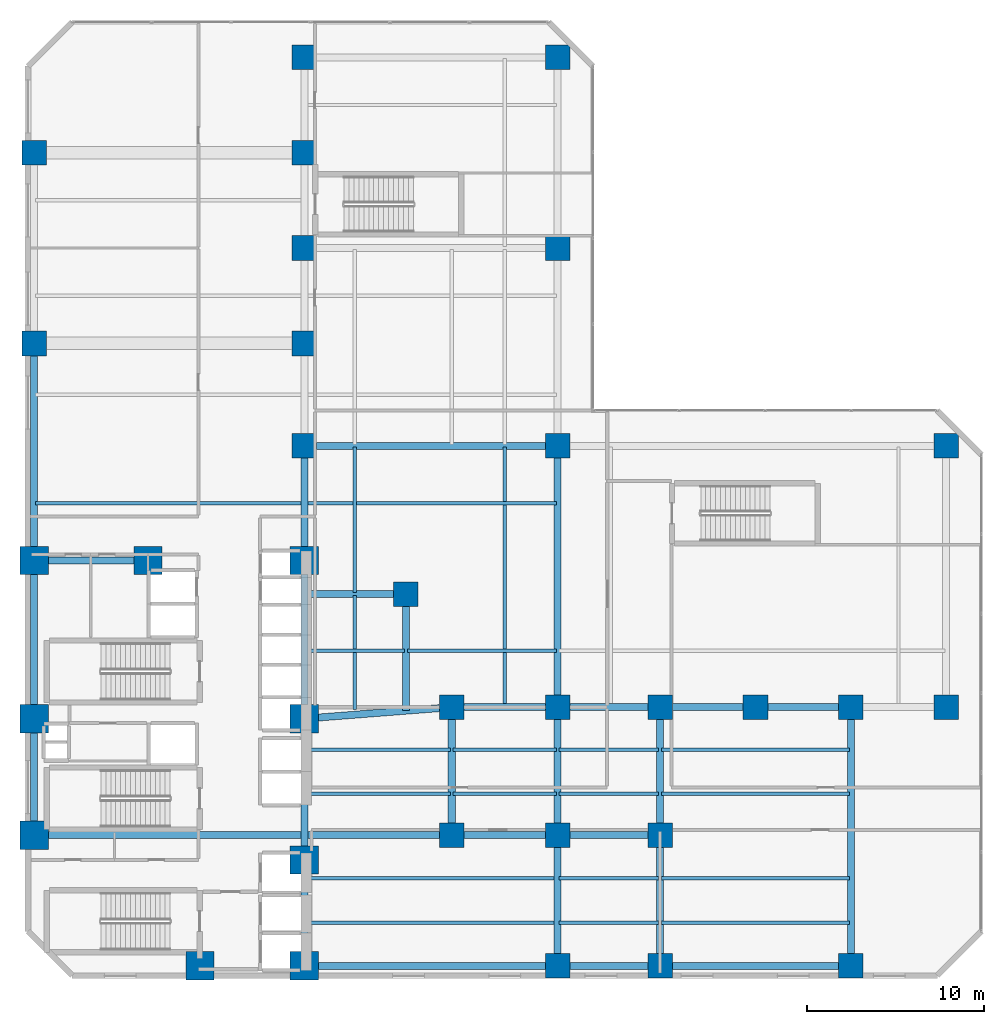
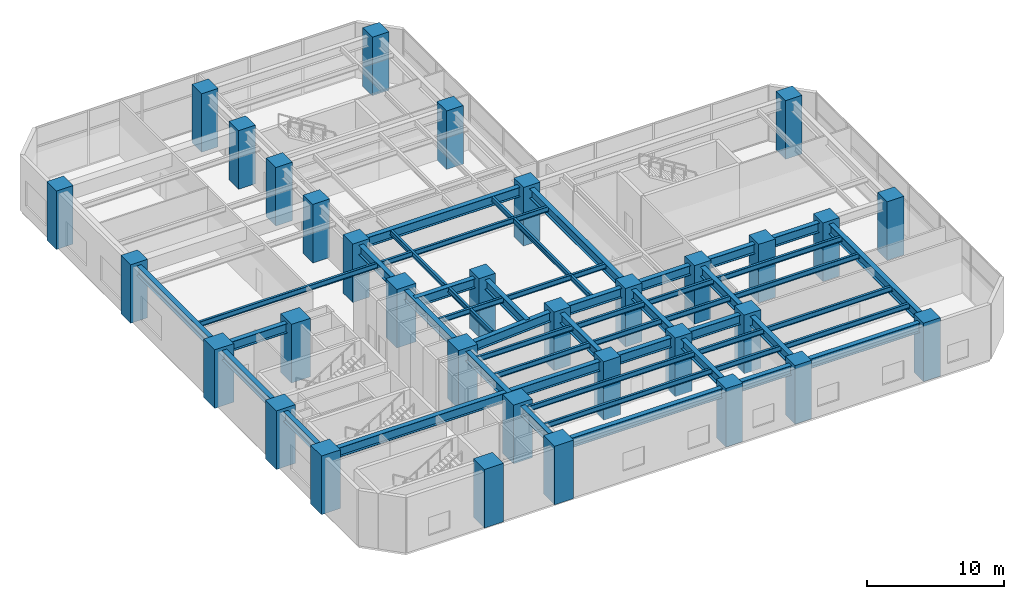
# One storey, part 1 of 22: 50 beams, 33 columns.
"""IFC4 building model written with IfcOpenShell, lengths in metres."""

from ifc_helpers import new_model, si_unit, direction, frame, origin, origin_2d, place, context, subcontext, project, spatial, rectangle, i_section, extrude, material, material_profile, profile_set, type_object, element, save


model = new_model("IFC4")

# Units and contexts
model_context = context("Model", 3, precision=1e-05, world=origin(), true_north=direction((0.0, 1.0)))
body_context = subcontext(model_context, "Body", "Model", "MODEL_VIEW")
ifc_project = project(units=[si_unit("LENGTHUNIT", "METRE"), si_unit("AREAUNIT", "SQUARE_METRE"), si_unit("VOLUMEUNIT", "CUBIC_METRE"), si_unit("PLANEANGLEUNIT", "RADIAN"), si_unit("MASSUNIT", "GRAM", prefix="KILO")], contexts=[model_context])

# Site, building, storey
site_placement = place(None, origin())
site = spatial("IfcSite", under=ifc_project, at=site_placement, CompositionType="ELEMENT")
building_placement = place(site_placement, origin())
building = spatial("IfcBuilding", under=site, at=building_placement, Name="Mawjaban Terraces University", CompositionType="ELEMENT")
storey_placement = place(building_placement, frame((0.0, 0.0, 10.39990234375)))
storey = spatial("IfcBuildingStorey", under=building, at=storey_placement, Name="L02", CompositionType="ELEMENT", Elevation=10.39990234375)

# Columns
ifc_material_1 = material(Name="Concrete C70/85", Category="concrete")
ifc_material_profile_1 = material_profile(ifc_material_1, rectangle(XDim=1.39990234375, YDim=1.39990234375, at=origin_2d()), Name="RC1400X1400")
ifc_profile_set_1 = profile_set([ifc_material_profile_1], Name="Concrete C70/85")
column_type_1 = type_object("IfcColumnType", Name="Col_RC1400X1400", PredefinedType="COLUMN", material=ifc_profile_set_1)
for number, where, z_axis, x_axis, name in (
    (1, (46.0, 7.949951171875, 0.0), (0.0, 0.0, 1.0), (1.0, 0.0, 0.0), "L02 Column TE-460-080"),
    (2, (46.0, 15.199951171875, 0.0), (0.0, 0.0, 1.0), (1.0, 0.0, 0.0), "L02 Column TE-460-152"),
    (3, (52.0, 0.550048828125, 0.0), (0.0, 0.0, 1.0), (1.0, 0.0, 0.0), "L02 Column TE-520-005"),
    (4, (52.0, 7.949951171875, 0.0), (0.0, 0.0, 1.0), (1.0, 0.0, 0.0), "L02 Column TE-520-080"),
    (5, (52.0, 15.199951171875, 0.0), (0.0, 0.0, 1.0), (1.0, 0.0, 0.0), "L02 Column TE-520-152"),
    (6, (57.800048828125, 0.550048828125, 0.0), (0.0, 0.0, 1.0), (1.0, 0.0, 0.0), "L02 Column TE-578-005"),
    (7, (57.800048828125, 7.949951171875, 0.0), (0.0, 0.0, 1.0), (1.0, 0.0, 0.0), "L02 Column TE-578-080"),
    (8, (57.800048828125, 15.199951171875, 0.0), (0.0, 0.0, 1.0), (1.0, 0.0, 0.0), "L02 Column TE-578-152"),
    (9, (63.199951171875, 15.199951171875, 0.0), (0.0, 0.0, 1.0), (1.0, 0.0, 0.0), "L02 Column TE-632-152"),
    (10, (68.60009765625, 0.550048828125, 0.0), (0.0, 0.0, 1.0), (1.0, 0.0, 0.0), "L02 Column TE-686-005"),
    (11, (68.60009765625, 15.199951171875, 0.0), (0.0, 0.0, 1.0), (1.0, 0.0, 0.0), "L02 Column TE-686-152"),
    (12, (74.0, 15.199951171875, 0.0), (0.0, 0.0, 1.0), (1.0, 0.0, 0.0), "L02 Column TE-740-152"),
    (13, (37.64990234375, 30.0, 0.0), (0.0, 0.0, 1.0), (1.0, 0.0, 0.0), "L02 Column TN-376-300"),
    (14, (22.35009765625, 35.800048828125, 0.0), (0.0, 0.0, 1.0), (1.0, 0.0, 0.0), "L02 Column TN-223-358"),
    (15, (37.64990234375, 35.800048828125, 0.0), (0.0, 0.0, 1.0), (1.0, 0.0, 0.0), "L02 Column TN-376-358"),
    (16, (37.64990234375, 41.199951171875, 0.0), (0.0, 0.0, 1.0), (1.0, 0.0, 0.0), "L02 Column TN-376-412"),
    (17, (22.35009765625, 46.60009765625, 0.0), (0.0, 0.0, 1.0), (1.0, 0.0, 0.0), "L02 Column TN-223-466"),
    (18, (37.64990234375, 46.60009765625, 0.0), (0.0, 0.0, 1.0), (1.0, 0.0, 0.0), "L02 Column TN-376-466"),
    (19, (37.64990234375, 52.0, 0.0), (0.0, 0.0, 1.0), (1.0, 0.0, 0.0), "L02 Column TN-376-520"),
    (20, (43.39990234375, 21.60009765625, 0.0), (0.0, 0.0, 1.0), (1.0, 0.0, 0.0), "L02 Column TS-434-216"),
    (21, (52.0, 30.0, 0.0), (0.0, 0.0, 1.0), (1.0, 0.0, 0.0), "L02 Column PM-520-300"),
    (22, (74.0, 30.0, 0.0), (0.0, 0.0, 1.0), (1.0, 0.0, 0.0), "L02 Column PM-740-300"),
    (23, (52.0, 41.199951171875, 0.0), (0.0, 0.0, 1.0), (1.0, 0.0, 0.0), "L02 Column PM-520-412"),
    (24, (52.0, 52.0, 0.0), (0.0, 0.0, 1.0), (1.0, 0.0, 0.0), "L02 Column PM-520-520"),
):
    element("IfcColumn", number, at=place(storey_placement, frame(where, z_axis=z_axis, x_axis=x_axis)), inside=storey, type_object=column_type_1, Name=name, PredefinedType="COLUMN", context=body_context, shape_type="SweptSolid", body=[
        extrude(rectangle(XDim=1.39990234375, YDim=1.39990234375, at=origin_2d()), origin(), (0.0, 0.0, 1.0), 5.2001953125),
    ])
ifc_material_profile_2 = material_profile(ifc_material_1, rectangle(XDim=1.60009765625, YDim=1.60009765625, at=origin_2d()), Name="RC1600X1600")
ifc_profile_set_2 = profile_set([ifc_material_profile_2], Name="Concrete C70/85")
column_type_2 = type_object("IfcColumnType", Name="Col_RC1600X1600", PredefinedType="COLUMN", material=ifc_profile_set_2)
for number, where, z_axis, x_axis, name in (
    (25, (31.75, 0.550048828125, 0.0), (0.0, 0.0, 1.0), (1.0, 0.0, 0.0), "L02 Column CC2"),
    (26, (37.64990234375, 0.550048828125, 0.0), (0.0, 0.0, 1.0), (1.0, 0.0, 0.0), "L02 Column CC3"),
    (27, (22.35009765625, 7.949951171875, 0.0), (0.0, 0.0, 1.0), (1.0, 0.0, 0.0), "L02 Column CC4"),
    (28, (37.64990234375, 6.550048828125, 0.0), (0.0, 0.0, 1.0), (1.0, 0.0, 0.0), "L02 Column CC5"),
    (29, (22.35009765625, 14.550048828125, 0.0), (0.0, 0.0, 1.0), (1.0, 0.0, 0.0), "L02 Column CC6"),
    (30, (37.64990234375, 14.550048828125, 0.0), (0.0, 0.0, 1.0), (1.0, 0.0, 0.0), "L02 Column CC7"),
    (31, (22.35009765625, 23.5, 0.0), (0.0, 0.0, 1.0), (1.0, 0.0, 0.0), "L02 Column CC8"),
    (32, (28.800048828125, 23.5, 0.0), (0.0, 0.0, 1.0), (1.0, 0.0, 0.0), "L02 Column CC9"),
    (33, (37.64990234375, 23.5, 0.0), (0.0, 0.0, 1.0), (1.0, 0.0, 0.0), "L02 Column CC10"),
):
    element("IfcColumn", number, at=place(storey_placement, frame(where, z_axis=z_axis, x_axis=x_axis)), inside=storey, type_object=column_type_2, Name=name, PredefinedType="COLUMN", context=body_context, shape_type="SweptSolid", body=[
        extrude(rectangle(XDim=1.60009765625, YDim=1.60009765625, at=origin_2d()), origin(), (0.0, 0.0, 1.0), 5.2001953125),
    ])

# Beams
ifc_material_2 = material(Name="Steel ASTM A572 Grade 50", Category="steel")
ifc_material_profile_3 = material_profile(ifc_material_2, i_section(OverallWidth=0.39990234375, OverallDepth=0.85498046875, WebThickness=0.018310546875, FlangeThickness=0.029296875, at=origin_2d()), Name="W840X299")
ifc_profile_set_3 = profile_set([ifc_material_profile_3], Name="Steel ASTM A572 Grade 50")
beam_type_1 = type_object("IfcBeamType", Name="Beam_B_W840X299", PredefinedType="BEAM", material=ifc_profile_set_3)
beam_1_placement = place(storey_placement, frame((38.449951171875, 0.550048828125, 4.4931640625), z_axis=(1.0, 0.0, 0.0), x_axis=(0.0, 1.0, 0.0)))
element("IfcBeam", 34, at=beam_1_placement, inside=storey, type_object=beam_type_1, Name="L02 Beam BM-L02-EW-01", PredefinedType="BEAM", context=body_context, shape_type="SweptSolid", body=[
    extrude(i_section(OverallWidth=0.39990234375, OverallDepth=0.85498046875, WebThickness=0.018310546875, FlangeThickness=0.029296875, at=origin_2d()), origin(), (0.0, 0.0, 1.0), 12.85009765625),
])
beam_2_placement = place(storey_placement, frame((52.699951171875, 0.550048828125, 4.4931640625), z_axis=(1.0, 0.0, 0.0), x_axis=(0.0, 1.0, 0.0)))
element("IfcBeam", 35, at=beam_2_placement, inside=storey, type_object=beam_type_1, Name="L02 Beam BM-L02-EW-02", PredefinedType="BEAM", context=body_context, shape_type="SweptSolid", body=[
    extrude(i_section(OverallWidth=0.39990234375, OverallDepth=0.85498046875, WebThickness=0.018310546875, FlangeThickness=0.029296875, at=origin_2d()), origin(), (0.0, 0.0, 1.0), 4.400146484375),
])
beam_3_placement = place(storey_placement, frame((58.5, 0.550048828125, 4.4931640625), z_axis=(1.0, 0.0, 0.0), x_axis=(0.0, 1.0, 0.0)))
element("IfcBeam", 36, at=beam_3_placement, inside=storey, type_object=beam_type_1, Name="L02 Beam BM-L02-EW-03", PredefinedType="BEAM", context=body_context, shape_type="SweptSolid", body=[
    extrude(i_section(OverallWidth=0.39990234375, OverallDepth=0.85498046875, WebThickness=0.018310546875, FlangeThickness=0.029296875, at=origin_2d()), origin(), (0.0, 0.0, 1.0), 9.39990234375),
])
beam_4_placement = place(storey_placement, frame((23.14990234375, 7.949951171875, 4.4931640625), z_axis=(1.0, 0.0, 0.0), x_axis=(0.0, 1.0, 0.0)))
element("IfcBeam", 37, at=beam_4_placement, inside=storey, type_object=beam_type_1, Name="L02 Beam BM-L02-EW-04", PredefinedType="BEAM", context=body_context, shape_type="SweptSolid", body=[
    extrude(i_section(OverallWidth=0.39990234375, OverallDepth=0.85498046875, WebThickness=0.018310546875, FlangeThickness=0.029296875, at=origin_2d()), origin(), (0.0, 0.0, 1.0), 22.150146484375),
])
beam_5_placement = place(storey_placement, frame((46.699951171875, 7.949951171875, 4.4931640625), z_axis=(1.0, 0.0, 0.0), x_axis=(0.0, 1.0, 0.0)))
element("IfcBeam", 38, at=beam_5_placement, inside=storey, type_object=beam_type_1, Name="L02 Beam BM-L02-EW-05", PredefinedType="BEAM", context=body_context, shape_type="SweptSolid", body=[
    extrude(i_section(OverallWidth=0.39990234375, OverallDepth=0.85498046875, WebThickness=0.018310546875, FlangeThickness=0.029296875, at=origin_2d()), origin(), (0.0, 0.0, 1.0), 4.60009765625),
])
beam_6_placement = place(storey_placement, frame((52.699951171875, 7.949951171875, 4.4931640625), z_axis=(1.0, 0.0, 0.0), x_axis=(0.0, 1.0, 0.0)))
element("IfcBeam", 39, at=beam_6_placement, inside=storey, type_object=beam_type_1, Name="L02 Beam BM-L02-EW-06", PredefinedType="BEAM", context=body_context, shape_type="SweptSolid", body=[
    extrude(i_section(OverallWidth=0.39990234375, OverallDepth=0.85498046875, WebThickness=0.018310546875, FlangeThickness=0.029296875, at=origin_2d()), origin(), (0.0, 0.0, 1.0), 4.400146484375),
])
beam_7_placement = place(storey_placement, frame((46.699951171875, 15.199951171875, 4.4931640625), z_axis=(1.0, 0.0, 0.0), x_axis=(0.0, 1.0, 0.0)))
element("IfcBeam", 40, at=beam_7_placement, inside=storey, type_object=beam_type_1, Name="L02 Beam BM-L02-EW-07", PredefinedType="BEAM", context=body_context, shape_type="SweptSolid", body=[
    extrude(i_section(OverallWidth=0.39990234375, OverallDepth=0.85498046875, WebThickness=0.018310546875, FlangeThickness=0.029296875, at=origin_2d()), origin(), (0.0, 0.0, 1.0), 4.60009765625),
])
beam_8_placement = place(storey_placement, frame((52.699951171875, 15.199951171875, 4.4931640625), z_axis=(1.0, 0.0, 0.0), x_axis=(0.0, 1.0, 0.0)))
element("IfcBeam", 41, at=beam_8_placement, inside=storey, type_object=beam_type_1, Name="L02 Beam BM-L02-EW-08", PredefinedType="BEAM", context=body_context, shape_type="SweptSolid", body=[
    extrude(i_section(OverallWidth=0.39990234375, OverallDepth=0.85498046875, WebThickness=0.018310546875, FlangeThickness=0.029296875, at=origin_2d()), origin(), (0.0, 0.0, 1.0), 4.400146484375),
])
for number, where, z_axis, x_axis, name in (
    (42, (58.5, 15.199951171875, 4.4931640625), (1.0, 0.0, 0.0), (0.0, 1.0, 0.0), "L02 Beam BM-L02-EW-09"),
    (43, (63.89990234375, 15.199951171875, 4.4931640625), (1.0, 0.0, 0.0), (0.0, 1.0, 0.0), "L02 Beam BM-L02-EW-10"),
):
    element("IfcBeam", number, at=place(storey_placement, frame(where, z_axis=z_axis, x_axis=x_axis)), inside=storey, type_object=beam_type_1, Name=name, PredefinedType="BEAM", context=body_context, shape_type="SweptSolid", body=[
        extrude(i_section(OverallWidth=0.39990234375, OverallDepth=0.85498046875, WebThickness=0.018310546875, FlangeThickness=0.029296875, at=origin_2d()), origin(), (0.0, 0.0, 1.0), 4.0),
    ])
beam_9_placement = place(storey_placement, frame((23.14990234375, 23.5, 4.4931640625), z_axis=(1.0, 0.0, 0.0), x_axis=(0.0, 1.0, 0.0)))
element("IfcBeam", 44, at=beam_9_placement, inside=storey, type_object=beam_type_1, Name="L02 Beam BM-L02-EW-12", PredefinedType="BEAM", context=body_context, shape_type="SweptSolid", body=[
    extrude(i_section(OverallWidth=0.39990234375, OverallDepth=0.85498046875, WebThickness=0.018310546875, FlangeThickness=0.029296875, at=origin_2d()), origin(), (0.0, 0.0, 1.0), 4.85009765625),
])
beam_10_placement = place(storey_placement, frame((38.35009765625, 30.0, 4.4931640625), z_axis=(1.0, 0.0, 0.0), x_axis=(0.0, 1.0, 0.0)))
element("IfcBeam", 45, at=beam_10_placement, inside=storey, type_object=beam_type_1, Name="L02 Beam BM-L02-EW-13", PredefinedType="BEAM", context=body_context, shape_type="SweptSolid", body=[
    extrude(i_section(OverallWidth=0.39990234375, OverallDepth=0.85498046875, WebThickness=0.018310546875, FlangeThickness=0.029296875, at=origin_2d()), origin(), (0.0, 0.0, 1.0), 12.949951171875),
])
beam_11_placement = place(storey_placement, frame((22.35009765625, 8.75, 4.4931640625), z_axis=(0.0, 1.0, 0.0), x_axis=(-1.0, 0.0, 0.0)))
element("IfcBeam", 46, at=beam_11_placement, inside=storey, type_object=beam_type_1, Name="L02 Beam BM-L02-NS-01", PredefinedType="BEAM", context=body_context, shape_type="SweptSolid", body=[
    extrude(i_section(OverallWidth=0.39990234375, OverallDepth=0.85498046875, WebThickness=0.018310546875, FlangeThickness=0.029296875, at=origin_2d()), origin(), (0.0, 0.0, 1.0), 5.0),
])
beam_12_placement = place(storey_placement, frame((22.35009765625, 15.35009765625, 4.4931640625), z_axis=(0.0, 1.0, 0.0), x_axis=(-1.0, 0.0, 0.0)))
element("IfcBeam", 47, at=beam_12_placement, inside=storey, type_object=beam_type_1, Name="L02 Beam BM-L02-NS-02", PredefinedType="BEAM", context=body_context, shape_type="SweptSolid", body=[
    extrude(i_section(OverallWidth=0.39990234375, OverallDepth=0.85498046875, WebThickness=0.018310546875, FlangeThickness=0.029296875, at=origin_2d()), origin(), (0.0, 0.0, 1.0), 7.349853515625),
])
beam_13_placement = place(storey_placement, frame((22.35009765625, 24.300048828125, 4.4931640625), z_axis=(0.0, 1.0, 0.0), x_axis=(-1.0, 0.0, 0.0)))
element("IfcBeam", 48, at=beam_13_placement, inside=storey, type_object=beam_type_1, Name="L02 Beam BM-L02-NS-03", PredefinedType="BEAM", context=body_context, shape_type="SweptSolid", body=[
    extrude(i_section(OverallWidth=0.39990234375, OverallDepth=0.85498046875, WebThickness=0.018310546875, FlangeThickness=0.029296875, at=origin_2d()), origin(), (0.0, 0.0, 1.0), 10.800048828125),
])
beam_14_placement = place(storey_placement, frame((37.64990234375, 1.35009765625, 4.4931640625), z_axis=(0.0, 1.0, 0.0), x_axis=(-1.0, 0.0, 0.0)))
element("IfcBeam", 49, at=beam_14_placement, inside=storey, type_object=beam_type_1, Name="L02 Beam BM-L02-NS-05", PredefinedType="BEAM", context=body_context, shape_type="SweptSolid", body=[
    extrude(i_section(OverallWidth=0.39990234375, OverallDepth=0.85498046875, WebThickness=0.018310546875, FlangeThickness=0.029296875, at=origin_2d()), origin(), (0.0, 0.0, 1.0), 4.39990234375),
])
beam_15_placement = place(storey_placement, frame((37.64990234375, 7.35009765625, 4.4931640625), z_axis=(0.0, 1.0, 0.0), x_axis=(-1.0, 0.0, 0.0)))
element("IfcBeam", 50, at=beam_15_placement, inside=storey, type_object=beam_type_1, Name="L02 Beam BM-L02-NS-06", PredefinedType="BEAM", context=body_context, shape_type="SweptSolid", body=[
    extrude(i_section(OverallWidth=0.39990234375, OverallDepth=0.85498046875, WebThickness=0.018310546875, FlangeThickness=0.029296875, at=origin_2d()), origin(), (0.0, 0.0, 1.0), 6.39990234375),
])
beam_16_placement = place(storey_placement, frame((37.64990234375, 15.35009765625, 4.4931640625), z_axis=(0.0, 1.0, 0.0), x_axis=(-1.0, 0.0, 0.0)))
element("IfcBeam", 51, at=beam_16_placement, inside=storey, type_object=beam_type_1, Name="L02 Beam BM-L02-NS-07", PredefinedType="BEAM", context=body_context, shape_type="SweptSolid", body=[
    extrude(i_section(OverallWidth=0.39990234375, OverallDepth=0.85498046875, WebThickness=0.018310546875, FlangeThickness=0.029296875, at=origin_2d()), origin(), (0.0, 0.0, 1.0), 7.349853515625),
])
beam_17_placement = place(storey_placement, frame((37.64990234375, 24.300048828125, 4.4931640625), z_axis=(0.0, 1.0, 0.0), x_axis=(-1.0, 0.0, 0.0)))
element("IfcBeam", 52, at=beam_17_placement, inside=storey, type_object=beam_type_1, Name="L02 Beam BM-L02-NS-08", PredefinedType="BEAM", context=body_context, shape_type="SweptSolid", body=[
    extrude(i_section(OverallWidth=0.39990234375, OverallDepth=0.85498046875, WebThickness=0.018310546875, FlangeThickness=0.029296875, at=origin_2d()), origin(), (0.0, 0.0, 1.0), 5.0),
])
beam_18_placement = place(storey_placement, frame((46.0, 8.64990234375, 4.4931640625), z_axis=(0.0, 1.0, 0.0), x_axis=(-1.0, 0.0, 0.0)))
element("IfcBeam", 53, at=beam_18_placement, inside=storey, type_object=beam_type_1, Name="L02 Beam BM-L02-NS-13", PredefinedType="BEAM", context=body_context, shape_type="SweptSolid", body=[
    extrude(i_section(OverallWidth=0.39990234375, OverallDepth=0.85498046875, WebThickness=0.018310546875, FlangeThickness=0.029296875, at=origin_2d()), origin(), (0.0, 0.0, 1.0), 5.85009765625),
])
beam_19_placement = place(storey_placement, frame((52.0, 1.25, 4.4931640625), z_axis=(0.0, 1.0, 0.0), x_axis=(-1.0, 0.0, 0.0)))
element("IfcBeam", 54, at=beam_19_placement, inside=storey, type_object=beam_type_1, Name="L02 Beam BM-L02-NS-14", PredefinedType="BEAM", context=body_context, shape_type="SweptSolid", body=[
    extrude(i_section(OverallWidth=0.39990234375, OverallDepth=0.85498046875, WebThickness=0.018310546875, FlangeThickness=0.029296875, at=origin_2d()), origin(), (0.0, 0.0, 1.0), 6.0),
])
beam_20_placement = place(storey_placement, frame((52.0, 8.64990234375, 4.4931640625), z_axis=(0.0, 1.0, 0.0), x_axis=(-1.0, 0.0, 0.0)))
element("IfcBeam", 55, at=beam_20_placement, inside=storey, type_object=beam_type_1, Name="L02 Beam BM-L02-NS-15", PredefinedType="BEAM", context=body_context, shape_type="SweptSolid", body=[
    extrude(i_section(OverallWidth=0.39990234375, OverallDepth=0.85498046875, WebThickness=0.018310546875, FlangeThickness=0.029296875, at=origin_2d()), origin(), (0.0, 0.0, 1.0), 5.85009765625),
])
beam_21_placement = place(storey_placement, frame((52.0, 15.89990234375, 4.4931640625), z_axis=(0.0, 1.0, 0.0), x_axis=(-1.0, 0.0, 0.0)))
element("IfcBeam", 56, at=beam_21_placement, inside=storey, type_object=beam_type_1, Name="L02 Beam BM-L02-NS-16", PredefinedType="BEAM", context=body_context, shape_type="SweptSolid", body=[
    extrude(i_section(OverallWidth=0.39990234375, OverallDepth=0.85498046875, WebThickness=0.018310546875, FlangeThickness=0.029296875, at=origin_2d()), origin(), (0.0, 0.0, 1.0), 13.400146484375),
])
beam_22_placement = place(storey_placement, frame((57.800048828125, 1.25, 4.4931640625), z_axis=(0.0, 1.0, 0.0), x_axis=(-1.0, 0.0, 0.0)))
element("IfcBeam", 57, at=beam_22_placement, inside=storey, type_object=beam_type_1, Name="L02 Beam BM-L02-NS-19", PredefinedType="BEAM", context=body_context, shape_type="SweptSolid", body=[
    extrude(i_section(OverallWidth=0.39990234375, OverallDepth=0.85498046875, WebThickness=0.018310546875, FlangeThickness=0.029296875, at=origin_2d()), origin(), (0.0, 0.0, 1.0), 6.0),
])
beam_23_placement = place(storey_placement, frame((57.800048828125, 8.64990234375, 4.4931640625), z_axis=(0.0, 1.0, 0.0), x_axis=(-1.0, 0.0, 0.0)))
element("IfcBeam", 58, at=beam_23_placement, inside=storey, type_object=beam_type_1, Name="L02 Beam BM-L02-NS-20", PredefinedType="BEAM", context=body_context, shape_type="SweptSolid", body=[
    extrude(i_section(OverallWidth=0.39990234375, OverallDepth=0.85498046875, WebThickness=0.018310546875, FlangeThickness=0.029296875, at=origin_2d()), origin(), (0.0, 0.0, 1.0), 5.85009765625),
])
beam_24_placement = place(storey_placement, frame((68.60009765625, 1.25, 4.4931640625), z_axis=(0.0, 1.0, 0.0), x_axis=(-1.0, 0.0, 0.0)))
element("IfcBeam", 59, at=beam_24_placement, inside=storey, type_object=beam_type_1, Name="L02 Beam BM-L02-NS-21", PredefinedType="BEAM", context=body_context, shape_type="SweptSolid", body=[
    extrude(i_section(OverallWidth=0.39990234375, OverallDepth=0.85498046875, WebThickness=0.018310546875, FlangeThickness=0.029296875, at=origin_2d()), origin(), (0.0, 0.0, 1.0), 13.25),
])
beam_25_placement = place(storey_placement, frame((38.447998046875, 14.612060546875, 4.4931640625), z_axis=(0.996979437792, 0.077665955348, 0.0), x_axis=(-0.077665955348, 0.996979437792, 0.0)))
element("IfcBeam", 60, at=beam_25_placement, inside=storey, type_object=beam_type_1, Name="L02 Beam BM-L02-CTIE", PredefinedType="BEAM", context=body_context, shape_type="SweptSolid", body=[
    extrude(i_section(OverallWidth=0.39990234375, OverallDepth=0.85498046875, WebThickness=0.018310546875, FlangeThickness=0.029296875, at=origin_2d()), origin(), (0.0, 0.0, 1.0), 6.874755859375),
])
beam_26_placement = place(storey_placement, frame((37.679931640625, 21.60009765625, 4.4931640625), z_axis=(1.0, 0.0, 0.0), x_axis=(0.0, 1.0, 0.0)))
element("IfcBeam", 61, at=beam_26_placement, inside=storey, type_object=beam_type_1, Name="L02 Spur Tie Girder West", PredefinedType="BEAM", context=body_context, shape_type="SweptSolid", body=[
    extrude(i_section(OverallWidth=0.39990234375, OverallDepth=0.85498046875, WebThickness=0.018310546875, FlangeThickness=0.029296875, at=origin_2d()), origin(), (0.0, 0.0, 1.0), 5.02001953125),
])
beam_27_placement = place(storey_placement, frame((43.39990234375, 15.0, 4.4931640625), z_axis=(0.0, 1.0, 0.0), x_axis=(-1.0, 0.0, 0.0)))
element("IfcBeam", 62, at=beam_27_placement, inside=storey, type_object=beam_type_1, Name="L02 Spur Tie Girder South", PredefinedType="BEAM", context=body_context, shape_type="SweptSolid", body=[
    extrude(i_section(OverallWidth=0.39990234375, OverallDepth=0.85498046875, WebThickness=0.018310546875, FlangeThickness=0.029296875, at=origin_2d()), origin(), (0.0, 0.0, 1.0), 5.89990234375),
])
ifc_material_profile_4 = material_profile(ifc_material_2, i_section(OverallWidth=0.194091796875, OverallDepth=0.468994140625, WebThickness=0.011474609375, FlangeThickness=0.0205078125, at=origin_2d()), Name="W460X106")
ifc_profile_set_4 = profile_set([ifc_material_profile_4], Name="Steel ASTM A572 Grade 50")
beam_type_2 = type_object("IfcBeamType", Name="Beam_J_W460X106", PredefinedType="JOIST", material=ifc_profile_set_4)
beam_28_placement = place(storey_placement, frame((37.72998046875, 3.0, 4.68505859375), z_axis=(1.0, 0.0, 0.0), x_axis=(0.0, 1.0, 0.0)))
element("IfcBeam", 63, at=beam_28_placement, inside=storey, type_object=beam_type_2, Name="L02 Composite Joist JST-L02-01", PredefinedType="JOIST", context=body_context, shape_type="SweptSolid", body=[
    extrude(i_section(OverallWidth=0.194091796875, OverallDepth=0.468994140625, WebThickness=0.011474609375, FlangeThickness=0.0205078125, at=origin_2d()), origin(), (0.0, 0.0, 1.0), 14.18994140625),
])
beam_29_placement = place(storey_placement, frame((52.080078125, 3.0, 4.68505859375), z_axis=(1.0, 0.0, 0.0), x_axis=(0.0, 1.0, 0.0)))
element("IfcBeam", 64, at=beam_29_placement, inside=storey, type_object=beam_type_2, Name="L02 Composite Joist JST-L02-02", PredefinedType="JOIST", context=body_context, shape_type="SweptSolid", body=[
    extrude(i_section(OverallWidth=0.194091796875, OverallDepth=0.468994140625, WebThickness=0.011474609375, FlangeThickness=0.0205078125, at=origin_2d()), origin(), (0.0, 0.0, 1.0), 5.639892578125),
])
beam_30_placement = place(storey_placement, frame((57.8798828125, 3.0, 4.68505859375), z_axis=(1.0, 0.0, 0.0), x_axis=(0.0, 1.0, 0.0)))
element("IfcBeam", 65, at=beam_30_placement, inside=storey, type_object=beam_type_2, Name="L02 Composite Joist JST-L02-03", PredefinedType="JOIST", context=body_context, shape_type="SweptSolid", body=[
    extrude(i_section(OverallWidth=0.194091796875, OverallDepth=0.468994140625, WebThickness=0.011474609375, FlangeThickness=0.0205078125, at=origin_2d()), origin(), (0.0, 0.0, 1.0), 10.64013671875),
])
beam_31_placement = place(storey_placement, frame((37.72998046875, 5.5, 4.68505859375), z_axis=(1.0, 0.0, 0.0), x_axis=(0.0, 1.0, 0.0)))
element("IfcBeam", 66, at=beam_31_placement, inside=storey, type_object=beam_type_2, Name="L02 Composite Joist JST-L02-04", PredefinedType="JOIST", context=body_context, shape_type="SweptSolid", body=[
    extrude(i_section(OverallWidth=0.194091796875, OverallDepth=0.468994140625, WebThickness=0.011474609375, FlangeThickness=0.0205078125, at=origin_2d()), origin(), (0.0, 0.0, 1.0), 14.18994140625),
])
beam_32_placement = place(storey_placement, frame((52.080078125, 5.5, 4.68505859375), z_axis=(1.0, 0.0, 0.0), x_axis=(0.0, 1.0, 0.0)))
element("IfcBeam", 67, at=beam_32_placement, inside=storey, type_object=beam_type_2, Name="L02 Composite Joist JST-L02-05", PredefinedType="JOIST", context=body_context, shape_type="SweptSolid", body=[
    extrude(i_section(OverallWidth=0.194091796875, OverallDepth=0.468994140625, WebThickness=0.011474609375, FlangeThickness=0.0205078125, at=origin_2d()), origin(), (0.0, 0.0, 1.0), 5.639892578125),
])
beam_33_placement = place(storey_placement, frame((57.8798828125, 5.5, 4.68505859375), z_axis=(1.0, 0.0, 0.0), x_axis=(0.0, 1.0, 0.0)))
element("IfcBeam", 68, at=beam_33_placement, inside=storey, type_object=beam_type_2, Name="L02 Composite Joist JST-L02-06", PredefinedType="JOIST", context=body_context, shape_type="SweptSolid", body=[
    extrude(i_section(OverallWidth=0.194091796875, OverallDepth=0.468994140625, WebThickness=0.011474609375, FlangeThickness=0.0205078125, at=origin_2d()), origin(), (0.0, 0.0, 1.0), 10.64013671875),
])
beam_34_placement = place(storey_placement, frame((37.72998046875, 10.300048828125, 4.68505859375), z_axis=(1.0, 0.0, 0.0), x_axis=(0.0, 1.0, 0.0)))
element("IfcBeam", 69, at=beam_34_placement, inside=storey, type_object=beam_type_2, Name="L02 Composite Joist JST-L02-07", PredefinedType="JOIST", context=body_context, shape_type="SweptSolid", body=[
    extrude(i_section(OverallWidth=0.194091796875, OverallDepth=0.468994140625, WebThickness=0.011474609375, FlangeThickness=0.0205078125, at=origin_2d()), origin(), (0.0, 0.0, 1.0), 8.18994140625),
])
beam_35_placement = place(storey_placement, frame((46.080078125, 10.300048828125, 4.68505859375), z_axis=(1.0, 0.0, 0.0), x_axis=(0.0, 1.0, 0.0)))
element("IfcBeam", 70, at=beam_35_placement, inside=storey, type_object=beam_type_2, Name="L02 Composite Joist JST-L02-08", PredefinedType="JOIST", context=body_context, shape_type="SweptSolid", body=[
    extrude(i_section(OverallWidth=0.194091796875, OverallDepth=0.468994140625, WebThickness=0.011474609375, FlangeThickness=0.0205078125, at=origin_2d()), origin(), (0.0, 0.0, 1.0), 5.83984375),
])
beam_36_placement = place(storey_placement, frame((52.080078125, 10.300048828125, 4.68505859375), z_axis=(1.0, 0.0, 0.0), x_axis=(0.0, 1.0, 0.0)))
element("IfcBeam", 71, at=beam_36_placement, inside=storey, type_object=beam_type_2, Name="L02 Composite Joist JST-L02-09", PredefinedType="JOIST", context=body_context, shape_type="SweptSolid", body=[
    extrude(i_section(OverallWidth=0.194091796875, OverallDepth=0.468994140625, WebThickness=0.011474609375, FlangeThickness=0.0205078125, at=origin_2d()), origin(), (0.0, 0.0, 1.0), 5.639892578125),
])
beam_37_placement = place(storey_placement, frame((57.8798828125, 10.300048828125, 4.68505859375), z_axis=(1.0, 0.0, 0.0), x_axis=(0.0, 1.0, 0.0)))
element("IfcBeam", 72, at=beam_37_placement, inside=storey, type_object=beam_type_2, Name="L02 Composite Joist JST-L02-10", PredefinedType="JOIST", context=body_context, shape_type="SweptSolid", body=[
    extrude(i_section(OverallWidth=0.194091796875, OverallDepth=0.468994140625, WebThickness=0.011474609375, FlangeThickness=0.0205078125, at=origin_2d()), origin(), (0.0, 0.0, 1.0), 10.64013671875),
])
beam_38_placement = place(storey_placement, frame((37.72998046875, 12.800048828125, 4.68505859375), z_axis=(1.0, 0.0, 0.0), x_axis=(0.0, 1.0, 0.0)))
element("IfcBeam", 73, at=beam_38_placement, inside=storey, type_object=beam_type_2, Name="L02 Composite Joist JST-L02-11", PredefinedType="JOIST", context=body_context, shape_type="SweptSolid", body=[
    extrude(i_section(OverallWidth=0.194091796875, OverallDepth=0.468994140625, WebThickness=0.011474609375, FlangeThickness=0.0205078125, at=origin_2d()), origin(), (0.0, 0.0, 1.0), 8.18994140625),
])
beam_39_placement = place(storey_placement, frame((46.080078125, 12.800048828125, 4.68505859375), z_axis=(1.0, 0.0, 0.0), x_axis=(0.0, 1.0, 0.0)))
element("IfcBeam", 74, at=beam_39_placement, inside=storey, type_object=beam_type_2, Name="L02 Composite Joist JST-L02-12", PredefinedType="JOIST", context=body_context, shape_type="SweptSolid", body=[
    extrude(i_section(OverallWidth=0.194091796875, OverallDepth=0.468994140625, WebThickness=0.011474609375, FlangeThickness=0.0205078125, at=origin_2d()), origin(), (0.0, 0.0, 1.0), 5.83984375),
])
beam_40_placement = place(storey_placement, frame((52.080078125, 12.800048828125, 4.68505859375), z_axis=(1.0, 0.0, 0.0), x_axis=(0.0, 1.0, 0.0)))
element("IfcBeam", 75, at=beam_40_placement, inside=storey, type_object=beam_type_2, Name="L02 Composite Joist JST-L02-13", PredefinedType="JOIST", context=body_context, shape_type="SweptSolid", body=[
    extrude(i_section(OverallWidth=0.194091796875, OverallDepth=0.468994140625, WebThickness=0.011474609375, FlangeThickness=0.0205078125, at=origin_2d()), origin(), (0.0, 0.0, 1.0), 5.639892578125),
])
beam_41_placement = place(storey_placement, frame((57.8798828125, 12.800048828125, 4.68505859375), z_axis=(1.0, 0.0, 0.0), x_axis=(0.0, 1.0, 0.0)))
element("IfcBeam", 76, at=beam_41_placement, inside=storey, type_object=beam_type_2, Name="L02 Composite Joist JST-L02-14", PredefinedType="JOIST", context=body_context, shape_type="SweptSolid", body=[
    extrude(i_section(OverallWidth=0.194091796875, OverallDepth=0.468994140625, WebThickness=0.011474609375, FlangeThickness=0.0205078125, at=origin_2d()), origin(), (0.0, 0.0, 1.0), 10.64013671875),
])
beam_42_placement = place(storey_placement, frame((37.72998046875, 18.39990234375, 4.68505859375), z_axis=(1.0, 0.0, 0.0), x_axis=(0.0, 1.0, 0.0)))
element("IfcBeam", 77, at=beam_42_placement, inside=storey, type_object=beam_type_2, Name="L02 Composite Joist JST-L02-15", PredefinedType="JOIST", context=body_context, shape_type="SweptSolid", body=[
    extrude(i_section(OverallWidth=0.194091796875, OverallDepth=0.468994140625, WebThickness=0.011474609375, FlangeThickness=0.0205078125, at=origin_2d()), origin(), (0.0, 0.0, 1.0), 5.590087890625),
])
beam_43_placement = place(storey_placement, frame((43.47998046875, 18.39990234375, 4.68505859375), z_axis=(1.0, 0.0, 0.0), x_axis=(0.0, 1.0, 0.0)))
element("IfcBeam", 78, at=beam_43_placement, inside=storey, type_object=beam_type_2, Name="L02 Composite Joist JST-L02-16", PredefinedType="JOIST", context=body_context, shape_type="SweptSolid", body=[
    extrude(i_section(OverallWidth=0.194091796875, OverallDepth=0.468994140625, WebThickness=0.011474609375, FlangeThickness=0.0205078125, at=origin_2d()), origin(), (0.0, 0.0, 1.0), 8.43994140625),
])
beam_44_placement = place(storey_placement, frame((22.429931640625, 26.75, 4.68505859375), z_axis=(1.0, 0.0, 0.0), x_axis=(0.0, 1.0, 0.0)))
element("IfcBeam", 79, at=beam_44_placement, inside=storey, type_object=beam_type_2, Name="L02 Composite Joist JST-L02-18", PredefinedType="JOIST", context=body_context, shape_type="SweptSolid", body=[
    extrude(i_section(OverallWidth=0.194091796875, OverallDepth=0.468994140625, WebThickness=0.011474609375, FlangeThickness=0.0205078125, at=origin_2d()), origin(), (0.0, 0.0, 1.0), 15.14013671875),
])
beam_45_placement = place(storey_placement, frame((37.72998046875, 26.75, 4.68505859375), z_axis=(1.0, 0.0, 0.0), x_axis=(0.0, 1.0, 0.0)))
element("IfcBeam", 80, at=beam_45_placement, inside=storey, type_object=beam_type_2, Name="L02 Composite Joist JST-L02-19", PredefinedType="JOIST", context=body_context, shape_type="SweptSolid", body=[
    extrude(i_section(OverallWidth=0.194091796875, OverallDepth=0.468994140625, WebThickness=0.011474609375, FlangeThickness=0.0205078125, at=origin_2d()), origin(), (0.0, 0.0, 1.0), 14.18994140625),
])
beam_46_placement = place(storey_placement, frame((40.5, 15.080078125, 4.68505859375), z_axis=(0.0, 1.0, 0.0), x_axis=(-1.0, 0.0, 0.0)))
element("IfcBeam", 81, at=beam_46_placement, inside=storey, type_object=beam_type_2, Name="L02 Composite Joist JST-L02-NS-26", PredefinedType="JOIST", context=body_context, shape_type="SweptSolid", body=[
    extrude(i_section(OverallWidth=0.194091796875, OverallDepth=0.468994140625, WebThickness=0.011474609375, FlangeThickness=0.0205078125, at=origin_2d()), origin(), (0.0, 0.0, 1.0), 6.43994140625),
])
beam_47_placement = place(storey_placement, frame((40.5, 21.679931640625, 4.68505859375), z_axis=(0.0, 1.0, 0.0), x_axis=(-1.0, 0.0, 0.0)))
element("IfcBeam", 82, at=beam_47_placement, inside=storey, type_object=beam_type_2, Name="L02 Composite Joist JST-L02-NS-27", PredefinedType="JOIST", context=body_context, shape_type="SweptSolid", body=[
    extrude(i_section(OverallWidth=0.194091796875, OverallDepth=0.468994140625, WebThickness=0.011474609375, FlangeThickness=0.0205078125, at=origin_2d()), origin(), (0.0, 0.0, 1.0), 8.239990234375),
])
beam_48_placement = place(storey_placement, frame((49.0, 15.280029296875, 4.68505859375), z_axis=(0.0, 1.0, 0.0), x_axis=(-1.0, 0.0, 0.0)))
element("IfcBeam", 83, at=beam_48_placement, inside=storey, type_object=beam_type_2, Name="L02 Composite Joist JST-L02-NS-30", PredefinedType="JOIST", context=body_context, shape_type="SweptSolid", body=[
    extrude(i_section(OverallWidth=0.194091796875, OverallDepth=0.468994140625, WebThickness=0.011474609375, FlangeThickness=0.0205078125, at=origin_2d()), origin(), (0.0, 0.0, 1.0), 14.639892578125),
])

save(model, "model.ifc")
